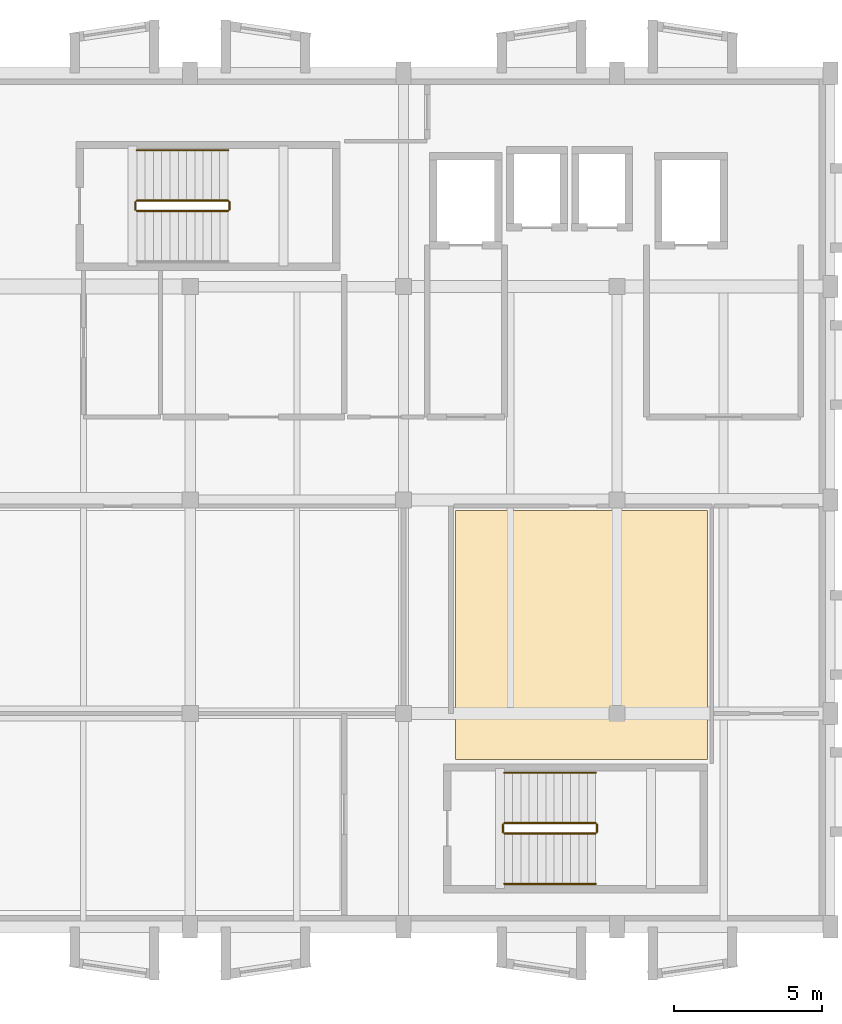
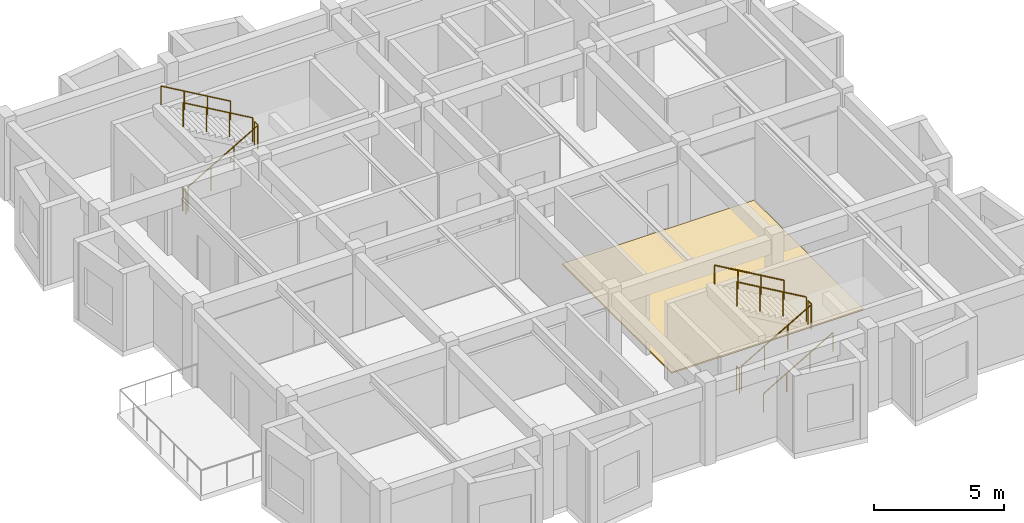
# One storey, part 7 of 7: 11 railings, 1 covering.
"""IFC4 building model written with IfcOpenShell, lengths in metres."""

import ifcopenshell
import ifcopenshell.guid

model = None  # the IFC model being written
_history = None  # IfcOwnerHistory: only IFC2X3 demands one
_inside = {}  # id of a spatial element -> (the spatial element, [elements in it])
_under = {}  # id of a project, library or spatial element -> (it, [spatial elements below it])
_declared = {}  # id of a project -> (the project, [libraries it declares])
_typed = {}  # id of a type object -> (the type object, [elements of that type])
_made_of = {}  # id of a material, layer set ... -> (it, [elements and type objects made of it])


def new_model(schema):
    """Start an empty IFC model of exactly this schema.

    Asked for "IFC4X3", IfcOpenShell would pick the latest addendum, in which some entities
    have other attributes; the version numbers below select the first issue.
    IFC2X3 requires an IfcOwnerHistory on every rooted entity: one is made here for all.
    """
    global model, _history
    if schema == "IFC4X3":
        model = ifcopenshell.file(schema_version=(4, 3, 0, 0))
    else:
        model = ifcopenshell.file(schema=schema)
    _inside.clear()
    _under.clear()
    _declared.clear()
    _typed.clear()
    _made_of.clear()
    _history = None
    if model.schema == "IFC2X3":
        org = make("IfcOrganization", Name="unknown")
        user = make(
            "IfcPersonAndOrganization",
            ThePerson=make("IfcPerson", FamilyName="unknown"),
            TheOrganization=org,
        )
        app = make(
            "IfcApplication",
            ApplicationDeveloper=org,
            Version="unknown",
            ApplicationFullName="unknown",
            ApplicationIdentifier="unknown",
        )
        _history = make(
            "IfcOwnerHistory",
            OwningUser=user,
            OwningApplication=app,
            ChangeAction="ADDED",
            CreationDate=0,
        )
    return model


def make(cls, **values):
    """One entity of the class cls with the attributes given. An attribute that is None is left unset."""
    return model.create_entity(
        cls, **{name: value for name, value in values.items() if value is not None}
    )


def rooted(cls, **values):
    """An entity with a GlobalId (a new one), such as an element, a storey or a relation."""
    return make(cls, GlobalId=ifcopenshell.guid.new(), OwnerHistory=_history, **values)


def si_unit(unit_type, name, prefix=None):
    """IfcSIUnit, for example si_unit("LENGTHUNIT", "METRE", prefix="MILLI")."""
    return make("IfcSIUnit", UnitType=unit_type, Prefix=prefix, Name=name)


def assignment(units):
    """IfcUnitAssignment: the units of a project."""
    return None if units is None else make("IfcUnitAssignment", Units=units)


def point(xyz):
    """IfcCartesianPoint."""
    return None if xyz is None else make("IfcCartesianPoint", Coordinates=xyz)


def direction(xyz):
    """IfcDirection."""
    return None if xyz is None else make("IfcDirection", DirectionRatios=xyz)


def frame(location, z_axis=None, x_axis=None):
    """IfcAxis2Placement3D, a coordinate frame: its origin and axes. An axis left out is left unset."""
    return make(
        "IfcAxis2Placement3D",
        Location=point(location),
        Axis=direction(z_axis),
        RefDirection=direction(x_axis),
    )


def frame_2d(location, x_axis=None):
    """IfcAxis2Placement2D, a coordinate frame in the plane: its origin and x axis."""
    return make(
        "IfcAxis2Placement2D", Location=point(location), RefDirection=direction(x_axis)
    )


def origin():
    """The frame at (0, 0, 0) with its axes left unset."""
    return frame((0.0, 0.0, 0.0))


def origin_2d():
    """The frame at (0, 0) in the plane with its x axis left unset."""
    return frame_2d((0.0, 0.0))


def place(relative_to, where):
    """IfcLocalPlacement: puts the frame where relative to a parent placement (None: the world)."""
    return make(
        "IfcLocalPlacement", PlacementRelTo=relative_to, RelativePlacement=where
    )


def context(
    kind, dimensions, precision=None, world=None, true_north=None, identifier=None
):
    """IfcGeometricRepresentationContext, for example the 3D "Model" context."""
    return make(
        "IfcGeometricRepresentationContext",
        ContextIdentifier=identifier,
        ContextType=kind,
        CoordinateSpaceDimension=dimensions,
        Precision=precision,
        WorldCoordinateSystem=world,
        TrueNorth=true_north,
    )


def subcontext(parent, identifier, kind, view, scale=None):
    """IfcGeometricRepresentationSubContext, for example "Body" below "Model"."""
    return make(
        "IfcGeometricRepresentationSubContext",
        ContextIdentifier=identifier,
        ContextType=kind,
        ParentContext=parent,
        TargetScale=scale,
        TargetView=view,
    )


def project(units=None, contexts=None):
    """IfcProject with its units and contexts."""
    return rooted(
        "IfcProject",
        Name="project",
        RepresentationContexts=contexts,
        UnitsInContext=assignment(units),
    )


def spatial(cls, under=None, at=None, **own):
    """A site, building, storey or space (cls), placed at a placement, below another one or the project."""
    s = rooted(cls, ObjectPlacement=at, **own)
    if under is not None:
        _under.setdefault(under.id(), (under, []))[1].append(s)
    return s


def polyline(points):
    """IfcPolyline through the points."""
    return make("IfcPolyline", Points=[point(p) for p in points])


def profile(cls, at=None, kind="AREA", **sizes):
    """A parametric profile (cls). Its sizes go by their IFC names, for example OverallWidth=200.0."""
    return make(cls, ProfileType=kind, Position=at, **sizes)


def circle(**sizes):
    """IfcCircleProfileDef."""
    return profile("IfcCircleProfileDef", **sizes)


def outline(outer, holes=None, kind="AREA"):
    """IfcArbitraryClosedProfileDef: a profile drawn as a closed curve; with holes, ...WithVoids."""
    if holes is None:
        return make("IfcArbitraryClosedProfileDef", ProfileType=kind, OuterCurve=outer)
    return make(
        "IfcArbitraryProfileDefWithVoids",
        ProfileType=kind,
        OuterCurve=outer,
        InnerCurves=holes,
    )


def extrude(swept, where, along, depth):
    """IfcExtrudedAreaSolid: the profile swept, set in the frame where, extruded along a direction by depth."""
    return make(
        "IfcExtrudedAreaSolid",
        SweptArea=swept,
        Position=where,
        ExtrudedDirection=direction(along),
        Depth=depth,
    )


def shape(context_of_items, identifier, shape_type, items):
    """IfcShapeRepresentation: the items that make up one representation, for example the "Body"."""
    return make(
        "IfcShapeRepresentation",
        ContextOfItems=context_of_items,
        RepresentationIdentifier=identifier,
        RepresentationType=shape_type,
        Items=items,
    )


def material(Name=None, Category=None):
    """IfcMaterial."""
    return make("IfcMaterial", Name=Name, Category=Category)


def layer(
    of_material, thickness, ventilated=None, Name=None, Category=None, Priority=None
):
    """IfcMaterialLayer: one layer of a wall or slab, of a material (None: an air gap)."""
    return make(
        "IfcMaterialLayer",
        Material=of_material,
        LayerThickness=thickness,
        IsVentilated=ventilated,
        Name=Name,
        Category=Category,
        Priority=Priority,
    )


def layer_set(layers, Name=None):
    """IfcMaterialLayerSet."""
    return make("IfcMaterialLayerSet", MaterialLayers=layers, LayerSetName=Name)


def made_of(thing, what):
    """Note that an element or type object is made of a material, layer set ...; save() writes the relation."""
    if what is not None:
        _made_of.setdefault(what.id(), (what, []))[1].append(thing)
    return thing


def type_object(cls, material=None, **own):
    """A type object (cls), such as IfcWallType, which elements share."""
    return made_of(rooted(cls, **own), material)


def element(
    cls,
    number,
    at=None,
    inside=None,
    cuts=None,
    type_object=None,
    material=None,
    context=None,
    identifier="Body",
    shape_type=None,
    held_by="IfcProductDefinitionShape",
    body=None,
    shapes=None,
    **own,
):
    """One element of the class cls, such as IfcWall. Its Tag is "e" and its number.

    at: its placement. inside: the storey or other place that contains it. cuts: it is an
    opening in that element (IfcRelVoidsElement). A single representation is given by context,
    identifier, shape_type and body (its items); several are given by shapes. held_by: the class
    of the entity that holds the representations. save() writes the other relations.
    """
    e = rooted(cls, Tag="e%d" % number, ObjectPlacement=at, **own)
    if body is not None:
        shapes = [shape(context, identifier, shape_type, body)]
    if shapes is not None:
        e.Representation = make(held_by, Representations=shapes)
    if inside is not None:
        _inside.setdefault(inside.id(), (inside, []))[1].append(e)
    if cuts is not None:
        rooted(
            "IfcRelVoidsElement", RelatingBuildingElement=cuts, RelatedOpeningElement=e
        )
    if type_object is not None:
        _typed.setdefault(type_object.id(), (type_object, []))[1].append(e)
    return made_of(e, material)


def aggregate(whole, parts):
    """IfcRelAggregates: a whole, such as a stair, and the parts it consists of."""
    return rooted("IfcRelAggregates", RelatingObject=whole, RelatedObjects=parts)


def save(model, path):
    """Write the relations noted so far, then the file.

    IfcRelAggregates (storeys below a building ...), IfcRelContainedInSpatialStructure (elements
    in a storey), IfcRelDefinesByType, IfcRelAssociatesMaterial and IfcRelDeclares: one each for
    every whole, place, type object, material and project.
    """
    for whole, parts in _under.values():
        aggregate(whole, parts)
    for where, things in _inside.values():
        rooted(
            "IfcRelContainedInSpatialStructure",
            RelatedElements=things,
            RelatingStructure=where,
        )
    for kind, things in _typed.values():
        rooted("IfcRelDefinesByType", RelatedObjects=things, RelatingType=kind)
    for what, things in _made_of.values():
        rooted("IfcRelAssociatesMaterial", RelatedObjects=things, RelatingMaterial=what)
    for by, libraries in _declared.values():
        rooted("IfcRelDeclares", RelatingContext=by, RelatedDefinitions=libraries)
    model.write(path)


model = new_model("IFC4")

# Units and contexts
model_context = context("Model", 3, precision=1e-05, world=origin(), true_north=direction((0.0, 1.0)))
body_context = subcontext(model_context, "Body", "Model", "MODEL_VIEW")
ifc_project = project(units=[si_unit("LENGTHUNIT", "METRE"), si_unit("AREAUNIT", "SQUARE_METRE"), si_unit("VOLUMEUNIT", "CUBIC_METRE"), si_unit("PLANEANGLEUNIT", "RADIAN"), si_unit("MASSUNIT", "GRAM", prefix="KILO")], contexts=[model_context])

# Site, building, storey
site_placement = place(None, origin())
site = spatial("IfcSite", under=ifc_project, at=site_placement, CompositionType="ELEMENT")
building_placement = place(site_placement, origin())
building = spatial("IfcBuilding", under=site, at=building_placement, Name="Bramveld Media Centre", CompositionType="ELEMENT")
storey_placement = place(building_placement, frame((0.0, 0.0, 25.800048828125)))
storey = spatial("IfcBuildingStorey", under=building, at=storey_placement, Name="L06", CompositionType="ELEMENT", Elevation=25.800048828125)

# Covering
ifc_material_1 = material(Name="Floating acoustic screed with smoked European oak studio flooring")
ifc_layer = layer(ifc_material_1, 0.06494140625)
ifc_layer_set = layer_set([ifc_layer], Name="Floating acoustic screed with smoked European oak studio flooring")
covering_type = type_object("IfcCoveringType", Name="COV-FLOOR-01", PredefinedType="FLOORING", material=ifc_layer_set)
covering_placement = place(storey_placement, origin())
element("IfcCovering", 1, at=covering_placement, inside=storey, type_object=covering_type, Name="Executive Board & Civic Media Forum finish flooring", PredefinedType="FLOORING", context=body_context, shape_type="SweptSolid", body=[
    extrude(outline(polyline([(147.35009765625, 88.85009765625), (155.85009765625, 88.85009765625), (155.85009765625, 97.25), (147.35009765625, 97.25), (147.35009765625, 88.85009765625)])), origin(), (0.0, 0.0, 1.0), 0.06494140625),
])

# Railings
ifc_material_2 = material(Name="Painted galvanized steel stairwell guardrail", Category="steel")
railing_type_1 = type_object("IfcRailingType", Name="RAIL-STAIR-GUARD-1150", PredefinedType="GUARDRAIL", material=ifc_material_2)
railing_1_placement = place(storey_placement, frame((136.60009765625, 107.35009765625, 0.162353515625)))
element("IfcRailing", 2, at=railing_1_placement, inside=storey, type_object=railing_type_1, Name="L06 ST-01 stair guard 1", PredefinedType="GUARDRAIL", context=body_context, shape_type="SweptSolid", body=[
    extrude(circle(Radius=0.02392578125, at=origin_2d()), frame((0.0, 0.0, 1.1259765625), z_axis=(0.864873446163, 0.0, 0.501989962173), x_axis=(0.0, 1.0, 0.0)), (0.0, 0.0, 1.0), 3.56103515625),
    extrude(circle(Radius=0.02099609375, at=origin_2d()), origin(), (0.0, 0.0, 1.0), 1.101806640625),
    extrude(circle(Radius=0.02099609375, at=origin_2d()), frame((1.026611328125, 0.0, 0.595947265625)), (0.0, 0.0, 1.0), 1.101806640625),
    extrude(circle(Radius=0.02099609375, at=origin_2d()), frame((2.05322265625, 0.0, 1.191650390625)), (0.0, 0.0, 1.0), 1.101806640625),
    extrude(circle(Radius=0.02099609375, at=origin_2d()), frame((3.079833984375, 0.0, 1.78759765625)), (0.0, 0.0, 1.0), 1.101806640625),
])
railing_2_placement = place(storey_placement, frame((139.72998046875, 107.39990234375, 1.949951171875)))
element("IfcRailing", 3, at=railing_2_placement, inside=storey, type_object=railing_type_1, Name="L06 ST-01 stair guard 2", PredefinedType="GUARDRAIL", context=body_context, shape_type="SweptSolid", body=[
    extrude(circle(Radius=0.02392578125, at=origin_2d()), frame((0.0, 0.0, 1.1259765625), z_axis=(0.0, 1.0, 0.0), x_axis=(-1.0, 0.0, 0.0)), (0.0, 0.0, 1.0), 0.25),
    extrude(circle(Radius=0.02099609375, at=origin_2d()), origin(), (0.0, 0.0, 1.0), 1.101806640625),
    extrude(circle(Radius=0.02099609375, at=origin_2d()), frame((0.0, 0.25, 0.0)), (0.0, 0.0, 1.0), 1.101806640625),
])
railing_3_placement = place(storey_placement, frame((139.679931640625, 107.699951171875, 2.112548828125)))
element("IfcRailing", 4, at=railing_3_placement, inside=storey, type_object=railing_type_1, Name="L06 ST-01 stair guard 3", PredefinedType="GUARDRAIL", context=body_context, shape_type="SweptSolid", body=[
    extrude(circle(Radius=0.02392578125, at=origin_2d()), frame((0.0, 0.0, 1.1259765625), z_axis=(-0.864903211148, 0.0, 0.501938676878), x_axis=(0.0, -1.0, 0.0)), (0.0, 0.0, 1.0), 3.560791015625),
    extrude(circle(Radius=0.02099609375, at=origin_2d()), origin(), (0.0, 0.0, 1.0), 1.101806640625),
    extrude(circle(Radius=0.02099609375, at=origin_2d()), frame((-1.026611328125, 0.0, 0.595703125)), (0.0, 0.0, 1.0), 1.101806640625),
    extrude(circle(Radius=0.02099609375, at=origin_2d()), frame((-2.05322265625, 0.0, 1.191650390625)), (0.0, 0.0, 1.0), 1.101806640625),
    extrude(circle(Radius=0.02099609375, at=origin_2d()), frame((-3.079833984375, 0.0, 1.787353515625)), (0.0, 0.0, 1.0), 1.101806640625),
])
railing_4_placement = place(storey_placement, frame((136.550048828125, 107.39990234375, 0.0)))
element("IfcRailing", 5, at=railing_4_placement, inside=storey, type_object=railing_type_1, Name="L06 ST-01 stair guard 4", PredefinedType="GUARDRAIL", context=body_context, shape_type="SweptSolid", body=[
    extrude(circle(Radius=0.02392578125, at=origin_2d()), frame((0.0, 0.0, 1.1259765625), z_axis=(0.0, 1.0, 0.0), x_axis=(-1.0, 0.0, 0.0)), (0.0, 0.0, 1.0), 0.25),
    extrude(circle(Radius=0.02099609375, at=origin_2d()), origin(), (0.0, 0.0, 1.0), 1.101806640625),
    extrude(circle(Radius=0.02099609375, at=origin_2d()), frame((0.0, 0.25, 0.0)), (0.0, 0.0, 1.0), 1.101806640625),
])
railing_5_placement = place(storey_placement, frame((149.0, 86.35009765625, 0.162353515625)))
element("IfcRailing", 6, at=railing_5_placement, inside=storey, type_object=railing_type_1, Name="L06 ST-02 stair guard 1", PredefinedType="GUARDRAIL", context=body_context, shape_type="SweptSolid", body=[
    extrude(circle(Radius=0.02392578125, at=origin_2d()), frame((0.0, 0.0, 1.1259765625), z_axis=(0.864890721111, 0.0, 0.501960198159), x_axis=(0.0, 1.0, 0.0)), (0.0, 0.0, 1.0), 3.561279296875),
    extrude(circle(Radius=0.02099609375, at=origin_2d()), origin(), (0.0, 0.0, 1.0), 1.101806640625),
    extrude(circle(Radius=0.02099609375, at=origin_2d()), frame((1.026611328125, 0.0, 0.595947265625)), (0.0, 0.0, 1.0), 1.101806640625),
    extrude(circle(Radius=0.02099609375, at=origin_2d()), frame((2.053466796875, 0.0, 1.191650390625)), (0.0, 0.0, 1.0), 1.101806640625),
    extrude(circle(Radius=0.02099609375, at=origin_2d()), frame((3.080078125, 0.0, 1.78759765625)), (0.0, 0.0, 1.0), 1.101806640625),
])
railing_6_placement = place(storey_placement, frame((152.1298828125, 86.39990234375, 1.949951171875)))
element("IfcRailing", 7, at=railing_6_placement, inside=storey, type_object=railing_type_1, Name="L06 ST-02 stair guard 2", PredefinedType="GUARDRAIL", context=body_context, shape_type="SweptSolid", body=[
    extrude(circle(Radius=0.02392578125, at=origin_2d()), frame((0.0, 0.0, 1.1259765625), z_axis=(0.0, 1.0, 0.0), x_axis=(-1.0, 0.0, 0.0)), (0.0, 0.0, 1.0), 0.25),
    extrude(circle(Radius=0.02099609375, at=origin_2d()), origin(), (0.0, 0.0, 1.0), 1.101806640625),
    extrude(circle(Radius=0.02099609375, at=origin_2d()), frame((0.0, 0.25, 0.0)), (0.0, 0.0, 1.0), 1.101806640625),
])
railing_7_placement = place(storey_placement, frame((152.080078125, 86.699951171875, 2.112548828125)))
element("IfcRailing", 8, at=railing_7_placement, inside=storey, type_object=railing_type_1, Name="L06 ST-02 stair guard 3", PredefinedType="GUARDRAIL", context=body_context, shape_type="SweptSolid", body=[
    extrude(circle(Radius=0.02392578125, at=origin_2d()), frame((0.0, 0.0, 1.1259765625), z_axis=(-0.864920483161, 0.0, 0.501908913857), x_axis=(0.0, -1.0, 0.0)), (0.0, 0.0, 1.0), 3.56103515625),
    extrude(circle(Radius=0.02099609375, at=origin_2d()), origin(), (0.0, 0.0, 1.0), 1.101806640625),
    extrude(circle(Radius=0.02099609375, at=origin_2d()), frame((-1.026611328125, 0.0, 0.595703125)), (0.0, 0.0, 1.0), 1.101806640625),
    extrude(circle(Radius=0.02099609375, at=origin_2d()), frame((-2.053466796875, 0.0, 1.191650390625)), (0.0, 0.0, 1.0), 1.101806640625),
    extrude(circle(Radius=0.02099609375, at=origin_2d()), frame((-3.080078125, 0.0, 1.787353515625)), (0.0, 0.0, 1.0), 1.101806640625),
])
railing_8_placement = place(storey_placement, frame((148.949951171875, 86.39990234375, 0.0)))
element("IfcRailing", 9, at=railing_8_placement, inside=storey, type_object=railing_type_1, Name="L06 ST-02 stair guard 4", PredefinedType="GUARDRAIL", context=body_context, shape_type="SweptSolid", body=[
    extrude(circle(Radius=0.02392578125, at=origin_2d()), frame((0.0, 0.0, 1.1259765625), z_axis=(0.0, 1.0, 0.0), x_axis=(-1.0, 0.0, 0.0)), (0.0, 0.0, 1.0), 0.25),
    extrude(circle(Radius=0.02099609375, at=origin_2d()), origin(), (0.0, 0.0, 1.0), 1.101806640625),
    extrude(circle(Radius=0.02099609375, at=origin_2d()), frame((0.0, 0.25, 0.0)), (0.0, 0.0, 1.0), 1.101806640625),
])
ifc_material_3 = material(Name="Brushed stainless steel tubular stair handrail", Category="steel")
railing_type_2 = type_object("IfcRailingType", Name="RAIL-STAIR-HAND-0920", PredefinedType="HANDRAIL", material=ifc_material_3)
railing_9_placement = place(storey_placement, frame((139.679931640625, 109.39990234375, 2.112548828125)))
element("IfcRailing", 10, at=railing_9_placement, inside=storey, type_object=railing_type_2, Name="L06 ST-01 stair handrail 2", PredefinedType="HANDRAIL", context=body_context, shape_type="SweptSolid", body=[
    extrude(circle(Radius=0.02392578125, at=origin_2d()), frame((0.0, 0.0, 0.8759765625), z_axis=(-0.864903211148, 0.0, 0.501938676878), x_axis=(0.0, -1.0, 0.0)), (0.0, 0.0, 1.0), 3.560791015625),
    extrude(circle(Radius=0.02099609375, at=origin_2d()), origin(), (0.0, 0.0, 1.0), 0.851806640625),
    extrude(circle(Radius=0.02099609375, at=origin_2d()), frame((-1.026611328125, 0.0, 0.595703125)), (0.0, 0.0, 1.0), 0.851806640625),
    extrude(circle(Radius=0.02099609375, at=origin_2d()), frame((-2.05322265625, 0.0, 1.191650390625)), (0.0, 0.0, 1.0), 0.851806640625),
    extrude(circle(Radius=0.02099609375, at=origin_2d()), frame((-3.079833984375, 0.0, 1.787353515625)), (0.0, 0.0, 1.0), 0.851806640625),
])
railing_10_placement = place(storey_placement, frame((149.0, 84.64990234375, 0.162353515625)))
element("IfcRailing", 11, at=railing_10_placement, inside=storey, type_object=railing_type_2, Name="L06 ST-02 stair handrail 1", PredefinedType="HANDRAIL", context=body_context, shape_type="SweptSolid", body=[
    extrude(circle(Radius=0.02392578125, at=origin_2d()), frame((0.0, 0.0, 0.8759765625), z_axis=(0.864890721111, 0.0, 0.501960198159), x_axis=(0.0, 1.0, 0.0)), (0.0, 0.0, 1.0), 3.561279296875),
    extrude(circle(Radius=0.02099609375, at=origin_2d()), origin(), (0.0, 0.0, 1.0), 0.851806640625),
    extrude(circle(Radius=0.02099609375, at=origin_2d()), frame((1.026611328125, 0.0, 0.595947265625)), (0.0, 0.0, 1.0), 0.851806640625),
    extrude(circle(Radius=0.02099609375, at=origin_2d()), frame((2.053466796875, 0.0, 1.191650390625)), (0.0, 0.0, 1.0), 0.851806640625),
    extrude(circle(Radius=0.02099609375, at=origin_2d()), frame((3.080078125, 0.0, 1.78759765625)), (0.0, 0.0, 1.0), 0.851806640625),
])
railing_11_placement = place(storey_placement, frame((152.080078125, 88.39990234375, 2.112548828125)))
element("IfcRailing", 12, at=railing_11_placement, inside=storey, type_object=railing_type_2, Name="L06 ST-02 stair handrail 2", PredefinedType="HANDRAIL", context=body_context, shape_type="SweptSolid", body=[
    extrude(circle(Radius=0.02392578125, at=origin_2d()), frame((0.0, 0.0, 0.8759765625), z_axis=(-0.864920483161, 0.0, 0.501908913857), x_axis=(0.0, -1.0, 0.0)), (0.0, 0.0, 1.0), 3.56103515625),
    extrude(circle(Radius=0.02099609375, at=origin_2d()), origin(), (0.0, 0.0, 1.0), 0.851806640625),
    extrude(circle(Radius=0.02099609375, at=origin_2d()), frame((-1.026611328125, 0.0, 0.595703125)), (0.0, 0.0, 1.0), 0.851806640625),
    extrude(circle(Radius=0.02099609375, at=origin_2d()), frame((-2.053466796875, 0.0, 1.191650390625)), (0.0, 0.0, 1.0), 0.851806640625),
    extrude(circle(Radius=0.02099609375, at=origin_2d()), frame((-3.080078125, 0.0, 1.787353515625)), (0.0, 0.0, 1.0), 0.851806640625),
])

save(model, "model.ifc")
